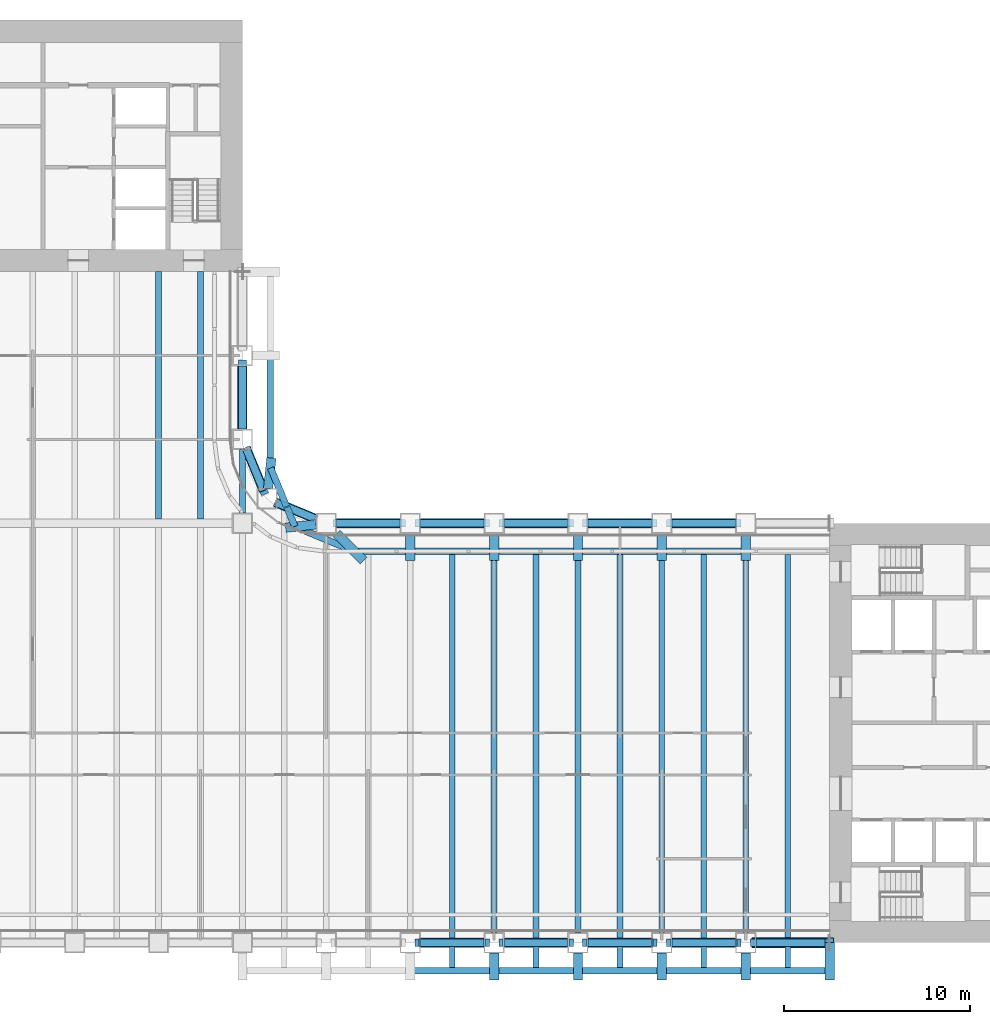
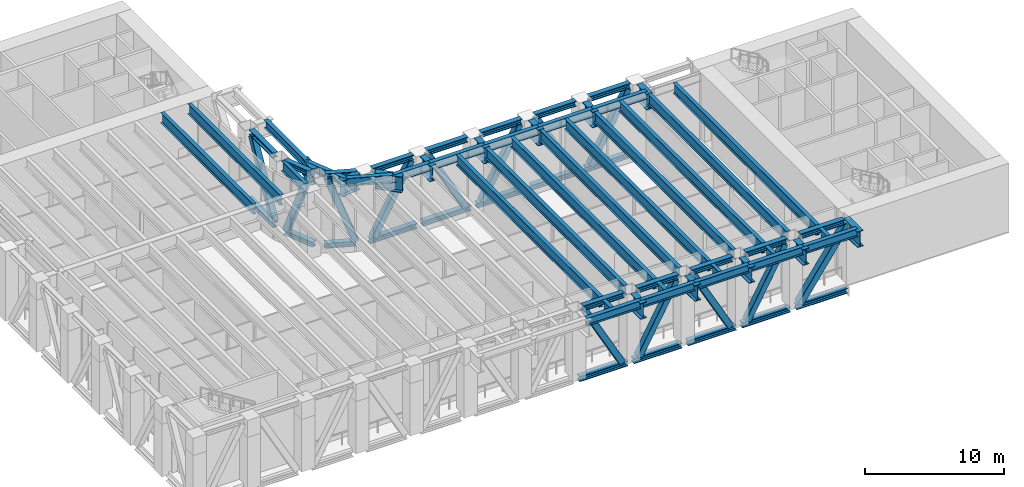
# One storey, part 2 of 19: 44 beams, 39 members.
"""IFC4 building model written with IfcOpenShell, lengths in metres."""

from ifc_helpers import new_model, si_unit, direction, frame, origin, origin_2d, place, context, subcontext, project, spatial, hollow_rectangle, i_section, extrude, material, material_profile, profile_set, type_object, element, save


model = new_model("IFC4")

# Units and contexts
model_context = context("Model", 3, precision=1e-05, world=origin(), true_north=direction((0.0, 1.0)))
body_context = subcontext(model_context, "Body", "Model", "MODEL_VIEW")
ifc_project = project(units=[si_unit("LENGTHUNIT", "METRE"), si_unit("AREAUNIT", "SQUARE_METRE"), si_unit("VOLUMEUNIT", "CUBIC_METRE"), si_unit("PLANEANGLEUNIT", "RADIAN"), si_unit("MASSUNIT", "GRAM", prefix="KILO")], contexts=[model_context])

# Site, building, storey
site_placement = place(None, origin())
site = spatial("IfcSite", under=ifc_project, at=site_placement, CompositionType="ELEMENT")
building_placement = place(site_placement, origin())
building = spatial("IfcBuilding", under=site, at=building_placement, Name="Sennacour Bend Tower", CompositionType="ELEMENT")
storey_placement = place(building_placement, frame((0.0, 0.0, 77.0)))
storey = spatial("IfcBuildingStorey", under=building, at=storey_placement, Name="L17", CompositionType="ELEMENT", Elevation=77.0)

# Members
ifc_material_1 = material(Name="Steel ASTM A992 Grade 50", Category="steel")
ifc_material_profile_1 = material_profile(ifc_material_1, i_section(OverallWidth=0.4189453125, OverallDepth=0.455078125, WebThickness=0.042236328125, FlangeThickness=0.067626953125, FilletRadius=0.01513671875, at=origin_2d()), Name="Steel ASTM A992 Grade 50", Category="steel")
ifc_profile_set_1 = profile_set([ifc_material_profile_1], Name="Steel ASTM A992 Grade 50")
member_type_1 = type_object("IfcMemberType", Name="Belt truss chord W360X551", PredefinedType="CHORD", material=ifc_profile_set_1)
member_1_placement = place(storey_placement, frame((22.5, 31.25, -0.4775390625), z_axis=(0.0, -1.0, 0.0), x_axis=(1.0, 0.0, 0.0)))
element("IfcMember", 1, at=member_1_placement, inside=storey, type_object=member_type_1, Name="Belt truss chord BC L17-005", PredefinedType="CHORD", context=body_context, shape_type="SweptSolid", body=[
    extrude(i_section(OverallWidth=0.4189453125, OverallDepth=0.455078125, WebThickness=0.042236328125, FlangeThickness=0.067626953125, FilletRadius=0.01513671875, at=origin_2d()), origin(), (0.0, 0.0, 1.0), 3.693603515625),
])
member_2_placement = place(storey_placement, frame((22.699462890625, 26.5185546875, -0.4775390625), z_axis=(0.38263523203, -0.923899496271, 0.0), x_axis=(0.923899496271, 0.38263523203, 0.0)))
element("IfcMember", 2, at=member_2_placement, inside=storey, type_object=member_type_1, Name="Belt truss chord BC L17-006", PredefinedType="CHORD", context=body_context, shape_type="SweptSolid", body=[
    extrude(i_section(OverallWidth=0.4189453125, OverallDepth=0.455078125, WebThickness=0.042236328125, FlangeThickness=0.067626953125, FilletRadius=0.01513671875, at=origin_2d()), origin(), (0.0, 0.0, 1.0), 2.66259765625),
])
member_3_placement = place(storey_placement, frame((24.29931640625, 23.61865234375, -0.4775390625), z_axis=(0.923883125943, -0.382674756939, 0.0), x_axis=(0.382674756939, 0.923883125943, 0.0)))
element("IfcMember", 3, at=member_3_placement, inside=storey, type_object=member_type_1, Name="Belt truss chord BC L17-007", PredefinedType="CHORD", context=body_context, shape_type="SweptSolid", body=[
    extrude(i_section(OverallWidth=0.4189453125, OverallDepth=0.455078125, WebThickness=0.042236328125, FlangeThickness=0.067626953125, FilletRadius=0.01513671875, at=origin_2d()), origin(), (0.0, 0.0, 1.0), 2.27001953125),
])
member_4_placement = place(storey_placement, frame((27.353515625, 22.5, -0.4775390625), z_axis=(1.0, 0.0, 0.0), x_axis=(0.0, 1.0, 0.0)))
element("IfcMember", 4, at=member_4_placement, inside=storey, type_object=member_type_1, Name="Belt truss chord BC L17-008", PredefinedType="CHORD", context=body_context, shape_type="SweptSolid", body=[
    extrude(i_section(OverallWidth=0.4189453125, OverallDepth=0.455078125, WebThickness=0.042236328125, FlangeThickness=0.067626953125, FilletRadius=0.01513671875, at=origin_2d()), origin(), (0.0, 0.0, 1.0), 3.896484375),
])
for number, where, z_axis, x_axis, name in (
    (5, (31.75, 22.5, -0.4775390625), (1.0, 0.0, 0.0), (0.0, 1.0, 0.0), "Belt truss chord BC L17-009"),
    (6, (36.25, 22.5, -0.4775390625), (1.0, 0.0, 0.0), (0.0, 1.0, 0.0), "Belt truss chord BC L17-010"),
    (7, (40.75, 22.5, -0.4775390625), (1.0, 0.0, 0.0), (0.0, 1.0, 0.0), "Belt truss chord BC L17-011"),
    (8, (45.25, 22.5, -0.4775390625), (1.0, 0.0, 0.0), (0.0, 1.0, 0.0), "Belt truss chord BC L17-012"),
):
    element("IfcMember", number, at=place(storey_placement, frame(where, z_axis=z_axis, x_axis=x_axis)), inside=storey, type_object=member_type_1, Name=name, PredefinedType="CHORD", context=body_context, shape_type="SweptSolid", body=[
        extrude(i_section(OverallWidth=0.4189453125, OverallDepth=0.455078125, WebThickness=0.042236328125, FlangeThickness=0.067626953125, FilletRadius=0.01513671875, at=origin_2d()), origin(), (0.0, 0.0, 1.0), 4.0),
    ])
member_5_placement = place(storey_placement, frame((54.0, 0.0, -0.4775390625), z_axis=(-1.0, 0.0, 0.0), x_axis=(0.0, -1.0, 0.0)))
element("IfcMember", 9, at=member_5_placement, inside=storey, type_object=member_type_1, Name="Belt truss chord BC L17-014", PredefinedType="CHORD", context=body_context, shape_type="SweptSolid", body=[
    extrude(i_section(OverallWidth=0.4189453125, OverallDepth=0.455078125, WebThickness=0.042236328125, FlangeThickness=0.067626953125, FilletRadius=0.01513671875, at=origin_2d()), origin(), (0.0, 0.0, 1.0), 4.25),
])
for number, where, z_axis, x_axis, name in (
    (10, (49.25, 0.0, -0.4775390625), (-1.0, 0.0, 0.0), (0.0, -1.0, 0.0), "Belt truss chord BC L17-015"),
    (11, (44.75, 0.0, -0.4775390625), (-1.0, 0.0, 0.0), (0.0, -1.0, 0.0), "Belt truss chord BC L17-016"),
    (12, (40.25, 0.0, -0.4775390625), (-1.0, 0.0, 0.0), (0.0, -1.0, 0.0), "Belt truss chord BC L17-017"),
    (13, (35.75, 0.0, -0.4775390625), (-1.0, 0.0, 0.0), (0.0, -1.0, 0.0), "Belt truss chord BC L17-018"),
):
    element("IfcMember", number, at=place(storey_placement, frame(where, z_axis=z_axis, x_axis=x_axis)), inside=storey, type_object=member_type_1, Name=name, PredefinedType="CHORD", context=body_context, shape_type="SweptSolid", body=[
        extrude(i_section(OverallWidth=0.4189453125, OverallDepth=0.455078125, WebThickness=0.042236328125, FlangeThickness=0.067626953125, FilletRadius=0.01513671875, at=origin_2d()), origin(), (0.0, 0.0, 1.0), 4.0),
    ])
member_6_placement = place(storey_placement, frame((22.5, 30.949951171875, 5.62255859375), z_axis=(0.0, -1.0, 0.0), x_axis=(1.0, 0.0, 0.0)))
element("IfcMember", 14, at=member_6_placement, inside=storey, type_object=member_type_1, Name="Belt truss chord BC L17-005", PredefinedType="CHORD", context=body_context, shape_type="SweptSolid", body=[
    extrude(i_section(OverallWidth=0.4189453125, OverallDepth=0.455078125, WebThickness=0.042236328125, FlangeThickness=0.067626953125, FilletRadius=0.01513671875, at=origin_2d()), origin(), (0.0, 0.0, 1.0), 3.39990234375),
])
for number, where, z_axis, x_axis, name in (
    (15, (22.727783203125, 26.449951171875, 5.62255859375), (0.382645217415, -0.923895360736, 0.0), (0.923895360736, 0.382645217415, 0.0), "Belt truss chord BC L17-006"),
    (16, (24.367919921875, 23.590087890625, 5.62255859375), (0.923895360736, -0.382645217415, 0.0), (0.382645217415, 0.923895360736, 0.0), "Belt truss chord BC L17-007"),
):
    element("IfcMember", number, at=place(storey_placement, frame(where, z_axis=z_axis, x_axis=x_axis)), inside=storey, type_object=member_type_1, Name=name, PredefinedType="CHORD", context=body_context, shape_type="SweptSolid", body=[
        extrude(i_section(OverallWidth=0.4189453125, OverallDepth=0.455078125, WebThickness=0.042236328125, FlangeThickness=0.067626953125, FilletRadius=0.01513671875, at=origin_2d()), origin(), (0.0, 0.0, 1.0), 2.25341796875),
    ])
for number, where, z_axis, x_axis, name in (
    (17, (27.550048828125, 22.5, 5.62255859375), (1.0, 0.0, 0.0), (0.0, 1.0, 0.0), "Belt truss chord BC L17-008"),
    (18, (32.050048828125, 22.5, 5.62255859375), (1.0, 0.0, 0.0), (0.0, 1.0, 0.0), "Belt truss chord BC L17-009"),
    (19, (36.550048828125, 22.5, 5.62255859375), (1.0, 0.0, 0.0), (0.0, 1.0, 0.0), "Belt truss chord BC L17-010"),
    (20, (41.050048828125, 22.5, 5.62255859375), (1.0, 0.0, 0.0), (0.0, 1.0, 0.0), "Belt truss chord BC L17-011"),
    (21, (45.550048828125, 22.5, 5.62255859375), (1.0, 0.0, 0.0), (0.0, 1.0, 0.0), "Belt truss chord BC L17-012"),
):
    element("IfcMember", number, at=place(storey_placement, frame(where, z_axis=z_axis, x_axis=x_axis)), inside=storey, type_object=member_type_1, Name=name, PredefinedType="CHORD", context=body_context, shape_type="SweptSolid", body=[
        extrude(i_section(OverallWidth=0.4189453125, OverallDepth=0.455078125, WebThickness=0.042236328125, FlangeThickness=0.067626953125, FilletRadius=0.01513671875, at=origin_2d()), origin(), (0.0, 0.0, 1.0), 3.39990234375),
    ])
member_7_placement = place(storey_placement, frame((53.75, 0.0, 5.62255859375), z_axis=(-1.0, 0.0, 0.0), x_axis=(0.0, -1.0, 0.0)))
element("IfcMember", 22, at=member_7_placement, inside=storey, type_object=member_type_1, Name="Belt truss chord BC L17-014", PredefinedType="CHORD", context=body_context, shape_type="SweptSolid", body=[
    extrude(i_section(OverallWidth=0.4189453125, OverallDepth=0.455078125, WebThickness=0.042236328125, FlangeThickness=0.067626953125, FilletRadius=0.01513671875, at=origin_2d()), origin(), (0.0, 0.0, 1.0), 3.699951171875),
])
for number, where, z_axis, x_axis, name in (
    (23, (48.949951171875, 0.0, 5.62255859375), (-1.0, 0.0, 0.0), (0.0, -1.0, 0.0), "Belt truss chord BC L17-015"),
    (24, (44.449951171875, 0.0, 5.62255859375), (-1.0, 0.0, 0.0), (0.0, -1.0, 0.0), "Belt truss chord BC L17-016"),
    (25, (39.949951171875, 0.0, 5.62255859375), (-1.0, 0.0, 0.0), (0.0, -1.0, 0.0), "Belt truss chord BC L17-017"),
    (26, (35.449951171875, 0.0, 5.62255859375), (-1.0, 0.0, 0.0), (0.0, -1.0, 0.0), "Belt truss chord BC L17-018"),
):
    element("IfcMember", number, at=place(storey_placement, frame(where, z_axis=z_axis, x_axis=x_axis)), inside=storey, type_object=member_type_1, Name=name, PredefinedType="CHORD", context=body_context, shape_type="SweptSolid", body=[
        extrude(i_section(OverallWidth=0.4189453125, OverallDepth=0.455078125, WebThickness=0.042236328125, FlangeThickness=0.067626953125, FilletRadius=0.01513671875, at=origin_2d()), origin(), (0.0, 0.0, 1.0), 3.39990234375),
    ])
ifc_material_2 = material(Name="Steel ASTM A500 Grade C", Category="steel")
ifc_material_profile_2 = material_profile(ifc_material_2, hollow_rectangle(XDim=0.508056640625, YDim=0.508056640625, WallThickness=0.01904296875, InnerFilletRadius=0.01904296875, OuterFilletRadius=0.0380859375, at=origin_2d()), Name="Steel ASTM A500 Grade C", Category="steel")
ifc_profile_set_2 = profile_set([ifc_material_profile_2], Name="Steel ASTM A500 Grade C")
member_type_2 = type_object("IfcMemberType", Name="Belt truss diagonal 508", PredefinedType="BRACE", material=ifc_profile_set_2)
member_8_placement = place(storey_placement, frame((22.5, 30.800048828125, 5.39501953125), z_axis=(0.0, -0.481362757746, -0.876521474611), x_axis=(1.0, 0.0, 0.0)))
element("IfcMember", 27, at=member_8_placement, inside=storey, type_object=member_type_2, Name="Belt truss diagonal BD L17-003", PredefinedType="BRACE", context=body_context, shape_type="SweptSolid", body=[
    extrude(hollow_rectangle(XDim=0.508056640625, YDim=0.508056640625, WallThickness=0.01904296875, InnerFilletRadius=0.01904296875, OuterFilletRadius=0.0380859375, at=origin_2d()), origin(), (0.0, 0.0, 1.0), 6.440185546875),
])
for number, where, z_axis, x_axis, name in (
    (28, (22.767822265625, 26.353271484375, -0.25), (0.130290983612, -0.314544556255, 0.940258465381), (0.923877079208, 0.382689355111, 0.0), "Belt truss diagonal BD L17-004"),
    (29, (24.46484375, 23.550048828125, 5.39501953125), (0.314544556255, -0.130290983612, -0.940258465381), (0.382689355111, 0.923877079208, 0.0), "Belt truss diagonal BD L17-005"),
):
    element("IfcMember", number, at=place(storey_placement, frame(where, z_axis=z_axis, x_axis=x_axis)), inside=storey, type_object=member_type_2, Name=name, PredefinedType="BRACE", context=body_context, shape_type="SweptSolid", body=[
        extrude(hollow_rectangle(XDim=0.508056640625, YDim=0.508056640625, WallThickness=0.01904296875, InnerFilletRadius=0.01904296875, OuterFilletRadius=0.0380859375, at=origin_2d()), origin(), (0.0, 0.0, 1.0), 6.003662109375),
    ])
for number, where, z_axis, x_axis, name in (
    (30, (27.699951171875, 22.5, -0.25), (0.481362757746, 0.0, 0.876521474611), (0.0, 1.0, 0.0), "Belt truss diagonal BD L17-006"),
    (31, (32.199951171875, 22.5, 5.39501953125), (0.481362757746, 0.0, -0.876521474611), (0.0, 1.0, 0.0), "Belt truss diagonal BD L17-007"),
    (32, (36.699951171875, 22.5, -0.25), (0.481362757746, 0.0, 0.876521474611), (0.0, 1.0, 0.0), "Belt truss diagonal BD L17-008"),
    (33, (41.199951171875, 22.5, 5.39501953125), (0.481362757746, 0.0, -0.876521474611), (0.0, 1.0, 0.0), "Belt truss diagonal BD L17-009"),
    (34, (45.699951171875, 22.5, -0.25), (0.481362757746, 0.0, 0.876521474611), (0.0, 1.0, 0.0), "Belt truss diagonal BD L17-010"),
    (35, (48.800048828125, 0.0, 5.39501953125), (-0.481362757746, 0.0, -0.876521474611), (0.0, -1.0, 0.0), "Belt truss diagonal BD L17-011"),
    (36, (44.300048828125, 0.0, -0.25), (-0.481362757746, 0.0, 0.876521474611), (0.0, -1.0, 0.0), "Belt truss diagonal BD L17-012"),
    (37, (39.800048828125, 0.0, 5.39501953125), (-0.481362757746, 0.0, -0.876521474611), (0.0, -1.0, 0.0), "Belt truss diagonal BD L17-013"),
    (38, (35.300048828125, 0.0, -0.25), (-0.481362757746, 0.0, 0.876521474611), (0.0, -1.0, 0.0), "Belt truss diagonal BD L17-014"),
):
    element("IfcMember", number, at=place(storey_placement, frame(where, z_axis=z_axis, x_axis=x_axis)), inside=storey, type_object=member_type_2, Name=name, PredefinedType="BRACE", context=body_context, shape_type="SweptSolid", body=[
        extrude(hollow_rectangle(XDim=0.508056640625, YDim=0.508056640625, WallThickness=0.01904296875, InnerFilletRadius=0.01904296875, OuterFilletRadius=0.0380859375, at=origin_2d()), origin(), (0.0, 0.0, 1.0), 6.440185546875),
    ])

# Beams
ifc_material_profile_3 = material_profile(ifc_material_1, i_section(OverallWidth=0.304931640625, OverallDepth=0.912109375, WebThickness=0.015869140625, FlangeThickness=0.02392578125, FilletRadius=0.01904296875, at=origin_2d()), Name="Steel ASTM A992 Grade 50", Category="steel")
ifc_profile_set_3 = profile_set([ifc_material_profile_3], Name="Steel ASTM A992 Grade 50")
beam_type_1 = type_object("IfcBeamType", Name="Floor beam W920X223", PredefinedType="BEAM", material=ifc_profile_set_3)
for number, where, z_axis, x_axis, name in (
    (39, (18.0, 22.72509765625, 5.39404296875), (0.0, 1.0, 0.0), (-1.0, 0.0, 0.0), "Floor beam FBM1 L18-016"),
    (40, (20.25, 22.72509765625, 5.39404296875), (0.0, 1.0, 0.0), (-1.0, 0.0, 0.0), "Floor beam FBM1 L18-018"),
):
    element("IfcBeam", number, at=place(storey_placement, frame(where, z_axis=z_axis, x_axis=x_axis)), inside=storey, type_object=beam_type_1, Name=name, PredefinedType="BEAM", context=body_context, shape_type="SweptSolid", body=[
        extrude(i_section(OverallWidth=0.304931640625, OverallDepth=0.912109375, WebThickness=0.015869140625, FlangeThickness=0.02392578125, FilletRadius=0.01904296875, at=origin_2d()), origin(), (0.0, 0.0, 1.0), 13.27490234375),
    ])
beam_1_placement = place(storey_placement, frame((22.5, 23.050048828125, 5.39404296875), z_axis=(0.0, 1.0, 0.0), x_axis=(-1.0, 0.0, 0.0)))
element("IfcBeam", 41, at=beam_1_placement, inside=storey, type_object=beam_type_1, Name="Floor beam FBM1 L18-020", PredefinedType="BEAM", context=body_context, shape_type="SweptSolid", body=[
    extrude(i_section(OverallWidth=0.304931640625, OverallDepth=0.912109375, WebThickness=0.015869140625, FlangeThickness=0.02392578125, FilletRadius=0.01904296875, at=origin_2d()), origin(), (0.0, 0.0, 1.0), 3.39990234375),
])
beam_2_placement = place(storey_placement, frame((33.75, -1.322021484375, 5.39404296875), z_axis=(0.0, 1.0, 0.0), x_axis=(-1.0, 0.0, 0.0)))
element("IfcBeam", 42, at=beam_2_placement, inside=storey, type_object=beam_type_1, Name="Floor beam FBM1 L18-027", PredefinedType="BEAM", context=body_context, shape_type="SweptSolid", body=[
    extrude(i_section(OverallWidth=0.304931640625, OverallDepth=0.912109375, WebThickness=0.015869140625, FlangeThickness=0.02392578125, FilletRadius=0.01904296875, at=origin_2d()), origin(), (0.0, 0.0, 1.0), 1.112548828125),
])
beam_3_placement = place(storey_placement, frame((33.75, 0.20947265625, 5.39404296875), z_axis=(0.0, 1.0, 0.0), x_axis=(-1.0, 0.0, 0.0)))
element("IfcBeam", 43, at=beam_3_placement, inside=storey, type_object=beam_type_1, Name="Floor beam FBM1 L18-028", PredefinedType="BEAM", context=body_context, shape_type="SweptSolid", body=[
    extrude(i_section(OverallWidth=0.304931640625, OverallDepth=0.912109375, WebThickness=0.015869140625, FlangeThickness=0.02392578125, FilletRadius=0.01904296875, at=origin_2d()), origin(), (0.0, 0.0, 1.0), 20.612548828125),
])
beam_4_placement = place(storey_placement, frame((36.0, 0.550048828125, 5.39404296875), z_axis=(0.0, 1.0, 0.0), x_axis=(-1.0, 0.0, 0.0)))
element("IfcBeam", 44, at=beam_4_placement, inside=storey, type_object=beam_type_1, Name="Floor beam FBM1 L18-029", PredefinedType="BEAM", context=body_context, shape_type="SweptSolid", body=[
    extrude(i_section(OverallWidth=0.304931640625, OverallDepth=0.912109375, WebThickness=0.015869140625, FlangeThickness=0.02392578125, FilletRadius=0.01904296875, at=origin_2d()), origin(), (0.0, 0.0, 1.0), 19.949951171875),
])
beam_5_placement = place(storey_placement, frame((38.25, -1.322021484375, 5.39404296875), z_axis=(0.0, 1.0, 0.0), x_axis=(-1.0, 0.0, 0.0)))
element("IfcBeam", 45, at=beam_5_placement, inside=storey, type_object=beam_type_1, Name="Floor beam FBM1 L18-030", PredefinedType="BEAM", context=body_context, shape_type="SweptSolid", body=[
    extrude(i_section(OverallWidth=0.304931640625, OverallDepth=0.912109375, WebThickness=0.015869140625, FlangeThickness=0.02392578125, FilletRadius=0.01904296875, at=origin_2d()), origin(), (0.0, 0.0, 1.0), 1.112548828125),
])
beam_6_placement = place(storey_placement, frame((38.25, 0.20947265625, 5.39404296875), z_axis=(0.0, 1.0, 0.0), x_axis=(-1.0, 0.0, 0.0)))
element("IfcBeam", 46, at=beam_6_placement, inside=storey, type_object=beam_type_1, Name="Floor beam FBM1 L18-031", PredefinedType="BEAM", context=body_context, shape_type="SweptSolid", body=[
    extrude(i_section(OverallWidth=0.304931640625, OverallDepth=0.912109375, WebThickness=0.015869140625, FlangeThickness=0.02392578125, FilletRadius=0.01904296875, at=origin_2d()), origin(), (0.0, 0.0, 1.0), 20.612548828125),
])
beam_7_placement = place(storey_placement, frame((40.5, 0.550048828125, 5.39404296875), z_axis=(0.0, 1.0, 0.0), x_axis=(-1.0, 0.0, 0.0)))
element("IfcBeam", 47, at=beam_7_placement, inside=storey, type_object=beam_type_1, Name="Floor beam FBM1 L18-032", PredefinedType="BEAM", context=body_context, shape_type="SweptSolid", body=[
    extrude(i_section(OverallWidth=0.304931640625, OverallDepth=0.912109375, WebThickness=0.015869140625, FlangeThickness=0.02392578125, FilletRadius=0.01904296875, at=origin_2d()), origin(), (0.0, 0.0, 1.0), 19.949951171875),
])
beam_8_placement = place(storey_placement, frame((42.75, -1.322021484375, 5.39404296875), z_axis=(0.0, 1.0, 0.0), x_axis=(-1.0, 0.0, 0.0)))
element("IfcBeam", 48, at=beam_8_placement, inside=storey, type_object=beam_type_1, Name="Floor beam FBM1 L18-033", PredefinedType="BEAM", context=body_context, shape_type="SweptSolid", body=[
    extrude(i_section(OverallWidth=0.304931640625, OverallDepth=0.912109375, WebThickness=0.015869140625, FlangeThickness=0.02392578125, FilletRadius=0.01904296875, at=origin_2d()), origin(), (0.0, 0.0, 1.0), 1.112548828125),
])
beam_9_placement = place(storey_placement, frame((42.75, 0.20947265625, 5.39404296875), z_axis=(0.0, 1.0, 0.0), x_axis=(-1.0, 0.0, 0.0)))
element("IfcBeam", 49, at=beam_9_placement, inside=storey, type_object=beam_type_1, Name="Floor beam FBM1 L18-034", PredefinedType="BEAM", context=body_context, shape_type="SweptSolid", body=[
    extrude(i_section(OverallWidth=0.304931640625, OverallDepth=0.912109375, WebThickness=0.015869140625, FlangeThickness=0.02392578125, FilletRadius=0.01904296875, at=origin_2d()), origin(), (0.0, 0.0, 1.0), 20.612548828125),
])
beam_10_placement = place(storey_placement, frame((45.0, 0.550048828125, 5.39404296875), z_axis=(0.0, 1.0, 0.0), x_axis=(-1.0, 0.0, 0.0)))
element("IfcBeam", 50, at=beam_10_placement, inside=storey, type_object=beam_type_1, Name="Floor beam FBM1 L18-035", PredefinedType="BEAM", context=body_context, shape_type="SweptSolid", body=[
    extrude(i_section(OverallWidth=0.304931640625, OverallDepth=0.912109375, WebThickness=0.015869140625, FlangeThickness=0.02392578125, FilletRadius=0.01904296875, at=origin_2d()), origin(), (0.0, 0.0, 1.0), 19.949951171875),
])
beam_11_placement = place(storey_placement, frame((47.25, -1.322021484375, 5.39404296875), z_axis=(0.0, 1.0, 0.0), x_axis=(-1.0, 0.0, 0.0)))
element("IfcBeam", 51, at=beam_11_placement, inside=storey, type_object=beam_type_1, Name="Floor beam FBM1 L18-036", PredefinedType="BEAM", context=body_context, shape_type="SweptSolid", body=[
    extrude(i_section(OverallWidth=0.304931640625, OverallDepth=0.912109375, WebThickness=0.015869140625, FlangeThickness=0.02392578125, FilletRadius=0.01904296875, at=origin_2d()), origin(), (0.0, 0.0, 1.0), 1.112548828125),
])
beam_12_placement = place(storey_placement, frame((47.25, 0.20947265625, 5.39404296875), z_axis=(0.0, 1.0, 0.0), x_axis=(-1.0, 0.0, 0.0)))
element("IfcBeam", 52, at=beam_12_placement, inside=storey, type_object=beam_type_1, Name="Floor beam FBM1 L18-037", PredefinedType="BEAM", context=body_context, shape_type="SweptSolid", body=[
    extrude(i_section(OverallWidth=0.304931640625, OverallDepth=0.912109375, WebThickness=0.015869140625, FlangeThickness=0.02392578125, FilletRadius=0.01904296875, at=origin_2d()), origin(), (0.0, 0.0, 1.0), 20.612548828125),
])
beam_13_placement = place(storey_placement, frame((49.5, 0.550048828125, 5.39404296875), z_axis=(0.0, 1.0, 0.0), x_axis=(-1.0, 0.0, 0.0)))
element("IfcBeam", 53, at=beam_13_placement, inside=storey, type_object=beam_type_1, Name="Floor beam FBM1 L18-038", PredefinedType="BEAM", context=body_context, shape_type="SweptSolid", body=[
    extrude(i_section(OverallWidth=0.304931640625, OverallDepth=0.912109375, WebThickness=0.015869140625, FlangeThickness=0.02392578125, FilletRadius=0.01904296875, at=origin_2d()), origin(), (0.0, 0.0, 1.0), 19.949951171875),
])
beam_14_placement = place(storey_placement, frame((51.75, -1.322021484375, 5.39404296875), z_axis=(0.0, 1.0, 0.0), x_axis=(-1.0, 0.0, 0.0)))
element("IfcBeam", 54, at=beam_14_placement, inside=storey, type_object=beam_type_1, Name="Floor beam FBM1 L18-039", PredefinedType="BEAM", context=body_context, shape_type="SweptSolid", body=[
    extrude(i_section(OverallWidth=0.304931640625, OverallDepth=0.912109375, WebThickness=0.015869140625, FlangeThickness=0.02392578125, FilletRadius=0.01904296875, at=origin_2d()), origin(), (0.0, 0.0, 1.0), 1.112548828125),
])
beam_15_placement = place(storey_placement, frame((51.75, 0.20947265625, 5.39404296875), z_axis=(0.0, 1.0, 0.0), x_axis=(-1.0, 0.0, 0.0)))
element("IfcBeam", 55, at=beam_15_placement, inside=storey, type_object=beam_type_1, Name="Floor beam FBM1 L18-040", PredefinedType="BEAM", context=body_context, shape_type="SweptSolid", body=[
    extrude(i_section(OverallWidth=0.304931640625, OverallDepth=0.912109375, WebThickness=0.015869140625, FlangeThickness=0.02392578125, FilletRadius=0.01904296875, at=origin_2d()), origin(), (0.0, 0.0, 1.0), 20.612548828125),
])

# Member
ifc_material_profile_4 = material_profile(ifc_material_2, hollow_rectangle(XDim=0.558837890625, YDim=0.558837890625, WallThickness=0.01904296875, InnerFilletRadius=0.01904296875, OuterFilletRadius=0.0380859375, at=origin_2d()), Name="Steel ASTM A500 Grade C", Category="steel")
ifc_profile_set_4 = profile_set([ifc_material_profile_4], Name="Steel ASTM A500 Grade C")
member_type_3 = type_object("IfcMemberType", Name="Outrigger truss diagonal 559", PredefinedType="BRACE", material=ifc_profile_set_4)
member_9_placement = place(storey_placement, frame((50.050048828125, 0.0, -0.25), z_axis=(0.573310128511, 0.0, 0.819338450548), x_axis=(0.0, 1.0, 0.0)))
element("IfcMember", 56, at=member_9_placement, inside=storey, type_object=member_type_3, Name="Outrigger truss diagonal OD L17-002", PredefinedType="BRACE", context=body_context, shape_type="SweptSolid", body=[
    extrude(hollow_rectangle(XDim=0.558837890625, YDim=0.558837890625, WallThickness=0.01904296875, InnerFilletRadius=0.01904296875, OuterFilletRadius=0.0380859375, at=origin_2d()), origin(), (0.0, 0.0, 1.0), 6.8896484375),
])

# Beams
ifc_material_profile_5 = material_profile(ifc_material_1, i_section(OverallWidth=0.35595703125, OverallDepth=0.696044921875, WebThickness=0.015380859375, FlangeThickness=0.02490234375, FilletRadius=0.02001953125, at=origin_2d()), Name="Steel ASTM A992 Grade 50", Category="steel")
ifc_profile_set_5 = profile_set([ifc_material_profile_5], Name="Steel ASTM A992 Grade 50")
beam_type_2 = type_object("IfcBeamType", Name="Spandrel beam W690X217", PredefinedType="SPANDREL", material=ifc_profile_set_5)
beam_16_placement = place(storey_placement, frame((24.0, 31.485107421875, 5.501953125), z_axis=(0.0, -1.0, 0.0), x_axis=(1.0, 0.0, 0.0)))
element("IfcBeam", 57, at=beam_16_placement, inside=storey, type_object=beam_type_2, Name="Spandrel beam SP3 L18-005", PredefinedType="SPANDREL", context=body_context, shape_type="SweptSolid", body=[
    extrude(i_section(OverallWidth=0.35595703125, OverallDepth=0.696044921875, WebThickness=0.015380859375, FlangeThickness=0.02490234375, FilletRadius=0.02001953125, at=origin_2d()), origin(), (0.0, 0.0, 1.0), 5.845703125),
])
beam_17_placement = place(storey_placement, frame((24.011962890625, 25.47119140625, 5.501953125), z_axis=(0.382644430213, -0.923895686767, 0.0), x_axis=(0.923895686767, 0.382644430213, 0.0)))
element("IfcBeam", 58, at=beam_17_placement, inside=storey, type_object=beam_type_2, Name="Spandrel beam SP3 L18-006", PredefinedType="SPANDREL", context=body_context, shape_type="SweptSolid", body=[
    extrude(i_section(OverallWidth=0.35595703125, OverallDepth=0.696044921875, WebThickness=0.015380859375, FlangeThickness=0.02490234375, FilletRadius=0.02001953125, at=origin_2d()), origin(), (0.0, 0.0, 1.0), 2.235107421875),
])
beam_18_placement = place(storey_placement, frame((24.89013671875, 23.35107421875, 5.501953125), z_axis=(0.38266472277, -0.923887282057, 0.0), x_axis=(0.923887282057, 0.38266472277, 0.0)))
element("IfcBeam", 59, at=beam_18_placement, inside=storey, type_object=beam_type_2, Name="Spandrel beam SP3 L18-007", PredefinedType="SPANDREL", context=body_context, shape_type="SweptSolid", body=[
    extrude(i_section(OverallWidth=0.35595703125, OverallDepth=0.696044921875, WebThickness=0.015380859375, FlangeThickness=0.02490234375, FilletRadius=0.02001953125, at=origin_2d()), origin(), (0.0, 0.0, 1.0), 1.1025390625),
])
beam_19_placement = place(storey_placement, frame((25.346923828125, 22.30615234375, 5.501953125), z_axis=(0.923860715481, -0.382728857537, 0.0), x_axis=(0.382728857537, 0.923860715481, 0.0)))
element("IfcBeam", 60, at=beam_19_placement, inside=storey, type_object=beam_type_2, Name="Spandrel beam SP3 L18-008", PredefinedType="SPANDREL", context=body_context, shape_type="SweptSolid", body=[
    extrude(i_section(OverallWidth=0.35595703125, OverallDepth=0.696044921875, WebThickness=0.015380859375, FlangeThickness=0.02490234375, FilletRadius=0.02001953125, at=origin_2d()), origin(), (0.0, 0.0, 1.0), 3.373779296875),
])
beam_20_placement = place(storey_placement, frame((28.521240234375, 21.0, 5.501953125), z_axis=(1.0, 0.0, 0.0), x_axis=(0.0, 1.0, 0.0)))
element("IfcBeam", 61, at=beam_20_placement, inside=storey, type_object=beam_type_2, Name="Spandrel beam SP3 L18-009", PredefinedType="SPANDREL", context=body_context, shape_type="SweptSolid", body=[
    extrude(i_section(OverallWidth=0.35595703125, OverallDepth=0.696044921875, WebThickness=0.015380859375, FlangeThickness=0.02490234375, FilletRadius=0.02001953125, at=origin_2d()), origin(), (0.0, 0.0, 1.0), 2.9638671875),
])
for number, where, z_axis, x_axis, name in (
    (62, (31.514892578125, 21.0, 5.501953125), (1.0, 0.0, 0.0), (0.0, 1.0, 0.0), "Spandrel beam SP3 L18-010"),
    (63, (36.014892578125, 21.0, 5.501953125), (1.0, 0.0, 0.0), (0.0, 1.0, 0.0), "Spandrel beam SP3 L18-011"),
    (64, (40.514892578125, 21.0, 5.501953125), (1.0, 0.0, 0.0), (0.0, 1.0, 0.0), "Spandrel beam SP3 L18-012"),
    (65, (45.014892578125, 21.0, 5.501953125), (1.0, 0.0, 0.0), (0.0, 1.0, 0.0), "Spandrel beam SP3 L18-013"),
    (66, (53.985107421875, -1.5, 5.501953125), (-1.0, 0.0, 0.0), (0.0, -1.0, 0.0), "Spandrel beam SP3 L18-015"),
    (67, (49.485107421875, -1.5, 5.501953125), (-1.0, 0.0, 0.0), (0.0, -1.0, 0.0), "Spandrel beam SP3 L18-016"),
    (68, (44.985107421875, -1.5, 5.501953125), (-1.0, 0.0, 0.0), (0.0, -1.0, 0.0), "Spandrel beam SP3 L18-017"),
    (69, (40.485107421875, -1.5, 5.501953125), (-1.0, 0.0, 0.0), (0.0, -1.0, 0.0), "Spandrel beam SP3 L18-018"),
    (70, (35.985107421875, -1.5, 5.501953125), (-1.0, 0.0, 0.0), (0.0, -1.0, 0.0), "Spandrel beam SP3 L18-019"),
):
    element("IfcBeam", number, at=place(storey_placement, frame(where, z_axis=z_axis, x_axis=x_axis)), inside=storey, type_object=beam_type_2, Name=name, PredefinedType="SPANDREL", context=body_context, shape_type="SweptSolid", body=[
        extrude(i_section(OverallWidth=0.35595703125, OverallDepth=0.696044921875, WebThickness=0.015380859375, FlangeThickness=0.02490234375, FilletRadius=0.02001953125, at=origin_2d()), origin(), (0.0, 0.0, 1.0), 4.47021484375),
    ])
ifc_material_3 = material(Name="Steel ASTM A572 Grade 50", Category="steel")
ifc_material_profile_6 = material_profile(ifc_material_3, i_section(OverallWidth=0.5, OverallDepth=1.39990234375, WebThickness=0.030029296875, FlangeThickness=0.054931640625, at=origin_2d()), Name="Steel ASTM A572 Grade 50", Category="steel")
ifc_profile_set_6 = profile_set([ifc_material_profile_6], Name="Steel ASTM A572 Grade 50")
beam_type_3 = type_object("IfcBeamType", Name="Transfer stub 1400", PredefinedType="USERDEFINED", material=ifc_profile_set_6)
beam_21_placement = place(storey_placement, frame((23.87744140625, 24.367919921875, 5.14990234375), z_axis=(0.107672544914, 0.994186412637, 0.0), x_axis=(-0.994186412637, 0.107672544914, 0.0)))
element("IfcBeam", 71, at=beam_21_placement, inside=storey, type_object=beam_type_3, Name="Transfer beam TS L18-005", ObjectType="TRANSFER BEAM", PredefinedType="USERDEFINED", context=body_context, shape_type="SweptSolid", body=[
    extrude(i_section(OverallWidth=0.5, OverallDepth=1.39990234375, WebThickness=0.030029296875, FlangeThickness=0.054931640625, at=origin_2d()), origin(), (0.0, 0.0, 1.0), 1.6416015625),
])
beam_22_placement = place(storey_placement, frame((26.449951171875, 22.4404296875, 5.14990234375), z_axis=(-0.994200602024, -0.107541447526, 0.0), x_axis=(0.107541447526, -0.994200602024, 0.0)))
element("IfcBeam", 72, at=beam_22_placement, inside=storey, type_object=beam_type_3, Name="Transfer beam TS L18-008", ObjectType="TRANSFER BEAM", PredefinedType="USERDEFINED", context=body_context, shape_type="SweptSolid", body=[
    extrude(i_section(OverallWidth=0.5, OverallDepth=1.39990234375, WebThickness=0.030029296875, FlangeThickness=0.054931640625, at=origin_2d()), origin(), (0.0, 0.0, 1.0), 1.641357421875),
])
beam_23_placement = place(storey_placement, frame((27.550048828125, 21.949951171875, 5.14990234375), z_axis=(0.707106781187, -0.707106781187, 0.0), x_axis=(0.707106781187, 0.707106781187, 0.0)))
element("IfcBeam", 73, at=beam_23_placement, inside=storey, type_object=beam_type_3, Name="Transfer beam TS L18-010", ObjectType="TRANSFER BEAM", PredefinedType="USERDEFINED", context=body_context, shape_type="SweptSolid", body=[
    extrude(i_section(OverallWidth=0.5, OverallDepth=1.39990234375, WebThickness=0.030029296875, FlangeThickness=0.054931640625, at=origin_2d()), origin(), (0.0, 0.0, 1.0), 2.050537109375),
])
for number, where, z_axis, x_axis, name in (
    (74, (31.5, 21.949951171875, 5.14990234375), (0.0, -1.0, 0.0), (1.0, 0.0, 0.0), "Transfer beam TS L18-012"),
    (75, (36.0, -0.550048828125, 5.14990234375), (0.0, -1.0, 0.0), (1.0, 0.0, 0.0), "Transfer beam TS L18-013"),
    (76, (36.0, 21.949951171875, 5.14990234375), (0.0, -1.0, 0.0), (1.0, 0.0, 0.0), "Transfer beam TS L18-014"),
    (77, (40.5, -0.550048828125, 5.14990234375), (0.0, -1.0, 0.0), (1.0, 0.0, 0.0), "Transfer beam TS L18-015"),
    (78, (40.5, 21.949951171875, 5.14990234375), (0.0, -1.0, 0.0), (1.0, 0.0, 0.0), "Transfer beam TS L18-016"),
    (79, (45.0, -0.550048828125, 5.14990234375), (0.0, -1.0, 0.0), (1.0, 0.0, 0.0), "Transfer beam TS L18-017"),
    (80, (45.0, 21.949951171875, 5.14990234375), (0.0, -1.0, 0.0), (1.0, 0.0, 0.0), "Transfer beam TS L18-018"),
    (81, (49.5, -0.550048828125, 5.14990234375), (0.0, -1.0, 0.0), (1.0, 0.0, 0.0), "Transfer beam TS L18-019"),
    (82, (49.5, 21.949951171875, 5.14990234375), (0.0, -1.0, 0.0), (1.0, 0.0, 0.0), "Transfer beam TS L18-020"),
):
    element("IfcBeam", number, at=place(storey_placement, frame(where, z_axis=z_axis, x_axis=x_axis)), inside=storey, type_object=beam_type_3, Name=name, ObjectType="TRANSFER BEAM", PredefinedType="USERDEFINED", context=body_context, shape_type="SweptSolid", body=[
        extrude(i_section(OverallWidth=0.5, OverallDepth=1.39990234375, WebThickness=0.030029296875, FlangeThickness=0.054931640625, at=origin_2d()), origin(), (0.0, 0.0, 1.0), 1.449951171875),
    ])
beam_24_placement = place(storey_placement, frame((54.0, 0.0, 5.14990234375), z_axis=(0.0, -1.0, 0.0), x_axis=(1.0, 0.0, 0.0)))
element("IfcBeam", 83, at=beam_24_placement, inside=storey, type_object=beam_type_3, Name="Transfer beam TS L18-021", ObjectType="TRANSFER BEAM", PredefinedType="USERDEFINED", context=body_context, shape_type="SweptSolid", body=[
    extrude(i_section(OverallWidth=0.5, OverallDepth=1.39990234375, WebThickness=0.030029296875, FlangeThickness=0.054931640625, at=origin_2d()), origin(), (0.0, 0.0, 1.0), 2.0),
])

save(model, "model.ifc")
